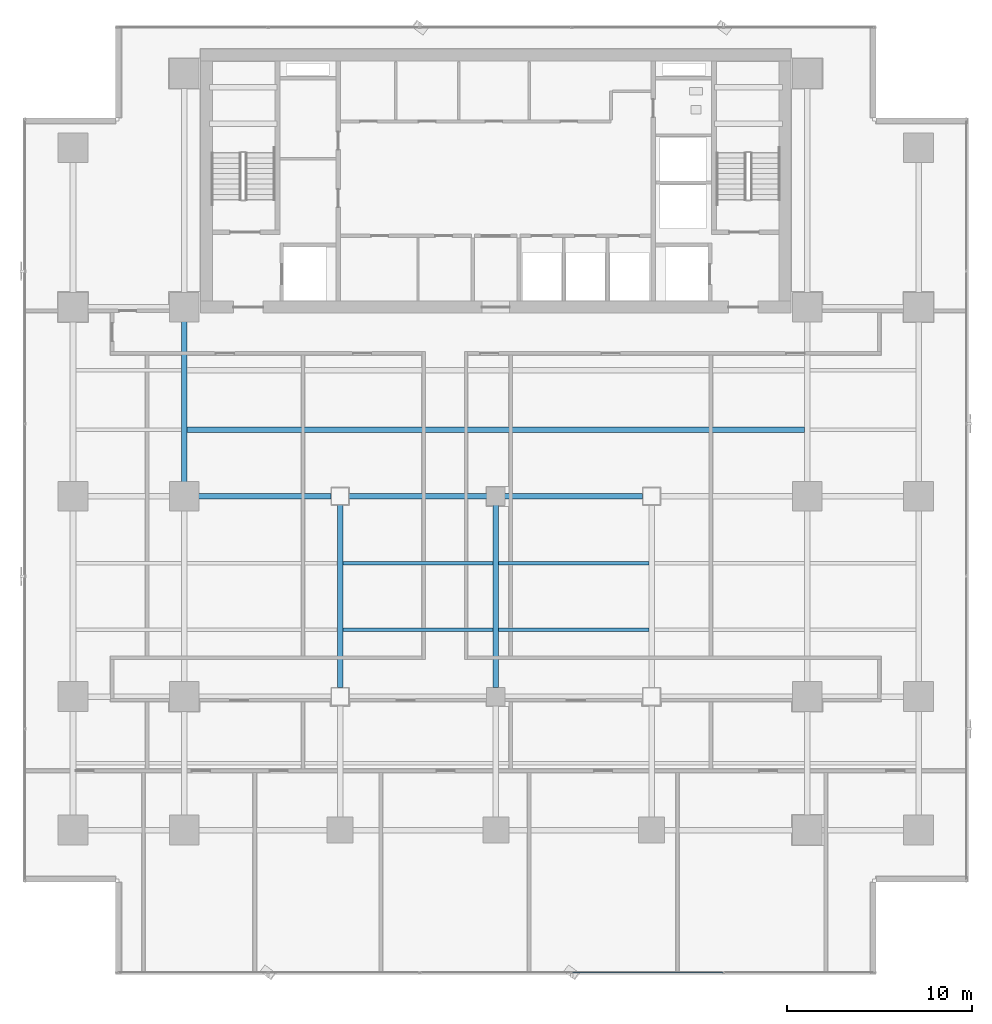
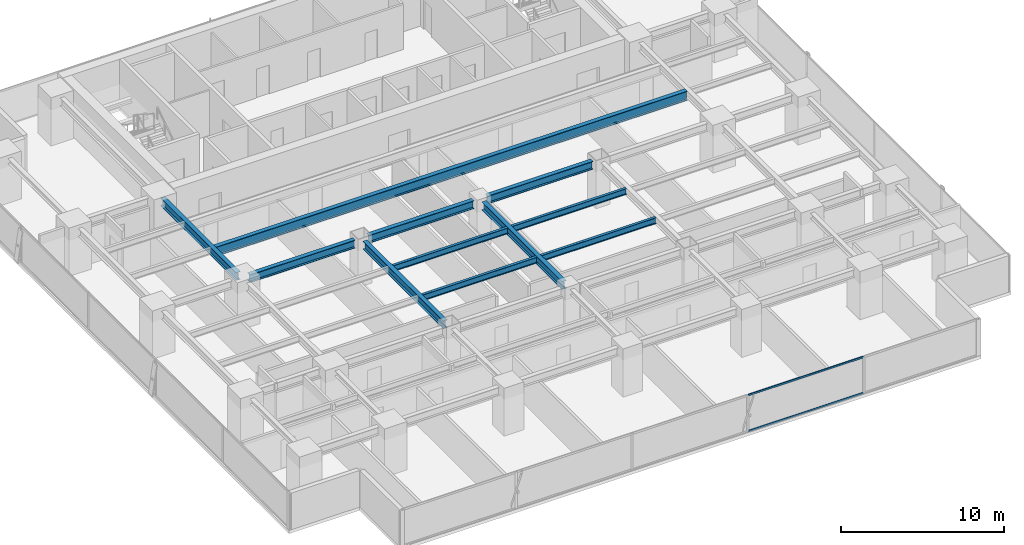
# One storey, part 11 of 36: 11 beams, 2 members, 1 element without a shape of its own.
"""IFC4 building model written with IfcOpenShell, lengths in metres."""

import ifcopenshell
import ifcopenshell.guid

model = None  # the IFC model being written
_history = None  # IfcOwnerHistory: only IFC2X3 demands one
_inside = {}  # id of a spatial element -> (the spatial element, [elements in it])
_under = {}  # id of a project, library or spatial element -> (it, [spatial elements below it])
_declared = {}  # id of a project -> (the project, [libraries it declares])
_typed = {}  # id of a type object -> (the type object, [elements of that type])
_made_of = {}  # id of a material, layer set ... -> (it, [elements and type objects made of it])


def new_model(schema):
    """Start an empty IFC model of exactly this schema.

    Asked for "IFC4X3", IfcOpenShell would pick the latest addendum, in which some entities
    have other attributes; the version numbers below select the first issue.
    IFC2X3 requires an IfcOwnerHistory on every rooted entity: one is made here for all.
    """
    global model, _history
    if schema == "IFC4X3":
        model = ifcopenshell.file(schema_version=(4, 3, 0, 0))
    else:
        model = ifcopenshell.file(schema=schema)
    _inside.clear()
    _under.clear()
    _declared.clear()
    _typed.clear()
    _made_of.clear()
    _history = None
    if model.schema == "IFC2X3":
        org = make("IfcOrganization", Name="unknown")
        user = make(
            "IfcPersonAndOrganization",
            ThePerson=make("IfcPerson", FamilyName="unknown"),
            TheOrganization=org,
        )
        app = make(
            "IfcApplication",
            ApplicationDeveloper=org,
            Version="unknown",
            ApplicationFullName="unknown",
            ApplicationIdentifier="unknown",
        )
        _history = make(
            "IfcOwnerHistory",
            OwningUser=user,
            OwningApplication=app,
            ChangeAction="ADDED",
            CreationDate=0,
        )
    return model


def make(cls, **values):
    """One entity of the class cls with the attributes given. An attribute that is None is left unset."""
    return model.create_entity(
        cls, **{name: value for name, value in values.items() if value is not None}
    )


def rooted(cls, **values):
    """An entity with a GlobalId (a new one), such as an element, a storey or a relation."""
    return make(cls, GlobalId=ifcopenshell.guid.new(), OwnerHistory=_history, **values)


def si_unit(unit_type, name, prefix=None):
    """IfcSIUnit, for example si_unit("LENGTHUNIT", "METRE", prefix="MILLI")."""
    return make("IfcSIUnit", UnitType=unit_type, Prefix=prefix, Name=name)


def assignment(units):
    """IfcUnitAssignment: the units of a project."""
    return None if units is None else make("IfcUnitAssignment", Units=units)


def point(xyz):
    """IfcCartesianPoint."""
    return None if xyz is None else make("IfcCartesianPoint", Coordinates=xyz)


def direction(xyz):
    """IfcDirection."""
    return None if xyz is None else make("IfcDirection", DirectionRatios=xyz)


def frame(location, z_axis=None, x_axis=None):
    """IfcAxis2Placement3D, a coordinate frame: its origin and axes. An axis left out is left unset."""
    return make(
        "IfcAxis2Placement3D",
        Location=point(location),
        Axis=direction(z_axis),
        RefDirection=direction(x_axis),
    )


def frame_2d(location, x_axis=None):
    """IfcAxis2Placement2D, a coordinate frame in the plane: its origin and x axis."""
    return make(
        "IfcAxis2Placement2D", Location=point(location), RefDirection=direction(x_axis)
    )


def origin():
    """The frame at (0, 0, 0) with its axes left unset."""
    return frame((0.0, 0.0, 0.0))


def origin_2d():
    """The frame at (0, 0) in the plane with its x axis left unset."""
    return frame_2d((0.0, 0.0))


def place(relative_to, where):
    """IfcLocalPlacement: puts the frame where relative to a parent placement (None: the world)."""
    return make(
        "IfcLocalPlacement", PlacementRelTo=relative_to, RelativePlacement=where
    )


def context(
    kind, dimensions, precision=None, world=None, true_north=None, identifier=None
):
    """IfcGeometricRepresentationContext, for example the 3D "Model" context."""
    return make(
        "IfcGeometricRepresentationContext",
        ContextIdentifier=identifier,
        ContextType=kind,
        CoordinateSpaceDimension=dimensions,
        Precision=precision,
        WorldCoordinateSystem=world,
        TrueNorth=true_north,
    )


def subcontext(parent, identifier, kind, view, scale=None):
    """IfcGeometricRepresentationSubContext, for example "Body" below "Model"."""
    return make(
        "IfcGeometricRepresentationSubContext",
        ContextIdentifier=identifier,
        ContextType=kind,
        ParentContext=parent,
        TargetScale=scale,
        TargetView=view,
    )


def project(units=None, contexts=None):
    """IfcProject with its units and contexts."""
    return rooted(
        "IfcProject",
        Name="project",
        RepresentationContexts=contexts,
        UnitsInContext=assignment(units),
    )


def spatial(cls, under=None, at=None, **own):
    """A site, building, storey or space (cls), placed at a placement, below another one or the project."""
    s = rooted(cls, ObjectPlacement=at, **own)
    if under is not None:
        _under.setdefault(under.id(), (under, []))[1].append(s)
    return s


def profile(cls, at=None, kind="AREA", **sizes):
    """A parametric profile (cls). Its sizes go by their IFC names, for example OverallWidth=200.0."""
    return make(cls, ProfileType=kind, Position=at, **sizes)


def hollow_rectangle(**sizes):
    """IfcRectangleHollowProfileDef."""
    return profile("IfcRectangleHollowProfileDef", **sizes)


def i_section(**sizes):
    """IfcIShapeProfileDef."""
    return profile("IfcIShapeProfileDef", **sizes)


def extrude(swept, where, along, depth):
    """IfcExtrudedAreaSolid: the profile swept, set in the frame where, extruded along a direction by depth."""
    return make(
        "IfcExtrudedAreaSolid",
        SweptArea=swept,
        Position=where,
        ExtrudedDirection=direction(along),
        Depth=depth,
    )


def shape(context_of_items, identifier, shape_type, items):
    """IfcShapeRepresentation: the items that make up one representation, for example the "Body"."""
    return make(
        "IfcShapeRepresentation",
        ContextOfItems=context_of_items,
        RepresentationIdentifier=identifier,
        RepresentationType=shape_type,
        Items=items,
    )


def source(mapping_origin, context_of_items, identifier, shape_type, items):
    """IfcRepresentationMap: a shape defined once, which mapped items show again and again."""
    return make(
        "IfcRepresentationMap",
        MappingOrigin=mapping_origin,
        MappedRepresentation=shape(context_of_items, identifier, shape_type, items),
    )


def transform(
    local_origin,
    x_axis=None,
    y_axis=None,
    z_axis=None,
    scale=None,
    scale2=None,
    scale3=None,
    uniform=True,
):
    """IfcCartesianTransformationOperator3D, or its non-uniform kind. x_axis, y_axis, z_axis: its Axis1, 2, 3."""
    if uniform:
        return make(
            "IfcCartesianTransformationOperator3D",
            Axis1=direction(x_axis),
            Axis2=direction(y_axis),
            LocalOrigin=point(local_origin),
            Scale=scale,
            Axis3=direction(z_axis),
        )
    return make(
        "IfcCartesianTransformationOperator3DnonUniform",
        Axis1=direction(x_axis),
        Axis2=direction(y_axis),
        LocalOrigin=point(local_origin),
        Scale=scale,
        Axis3=direction(z_axis),
        Scale2=scale2,
        Scale3=scale3,
    )


def mapped(mapping_source, mapping_target):
    """IfcMappedItem: shows the shape of a source again, moved by a transform."""
    return make(
        "IfcMappedItem", MappingSource=mapping_source, MappingTarget=mapping_target
    )


def material(Name=None, Category=None):
    """IfcMaterial."""
    return make("IfcMaterial", Name=Name, Category=Category)


def layer(
    of_material, thickness, ventilated=None, Name=None, Category=None, Priority=None
):
    """IfcMaterialLayer: one layer of a wall or slab, of a material (None: an air gap)."""
    return make(
        "IfcMaterialLayer",
        Material=of_material,
        LayerThickness=thickness,
        IsVentilated=ventilated,
        Name=Name,
        Category=Category,
        Priority=Priority,
    )


def layer_set(layers, Name=None):
    """IfcMaterialLayerSet."""
    return make("IfcMaterialLayerSet", MaterialLayers=layers, LayerSetName=Name)


def material_profile(
    of_material, cross_section, Name=None, Category=None, Priority=None
):
    """IfcMaterialProfile: a cross section and its material."""
    return make(
        "IfcMaterialProfile",
        Name=Name,
        Material=of_material,
        Profile=cross_section,
        Priority=Priority,
        Category=Category,
    )


def profile_set(profiles, Name=None, composite=None):
    """IfcMaterialProfileSet."""
    return make(
        "IfcMaterialProfileSet",
        Name=Name,
        MaterialProfiles=profiles,
        CompositeProfile=composite,
    )


def made_of(thing, what):
    """Note that an element or type object is made of a material, layer set ...; save() writes the relation."""
    if what is not None:
        _made_of.setdefault(what.id(), (what, []))[1].append(thing)
    return thing


def type_object(cls, material=None, **own):
    """A type object (cls), such as IfcWallType, which elements share."""
    return made_of(rooted(cls, **own), material)


def element(
    cls,
    number,
    at=None,
    inside=None,
    cuts=None,
    type_object=None,
    material=None,
    context=None,
    identifier="Body",
    shape_type=None,
    held_by="IfcProductDefinitionShape",
    body=None,
    shapes=None,
    **own,
):
    """One element of the class cls, such as IfcWall. Its Tag is "e" and its number.

    at: its placement. inside: the storey or other place that contains it. cuts: it is an
    opening in that element (IfcRelVoidsElement). A single representation is given by context,
    identifier, shape_type and body (its items); several are given by shapes. held_by: the class
    of the entity that holds the representations. save() writes the other relations.
    """
    e = rooted(cls, Tag="e%d" % number, ObjectPlacement=at, **own)
    if body is not None:
        shapes = [shape(context, identifier, shape_type, body)]
    if shapes is not None:
        e.Representation = make(held_by, Representations=shapes)
    if inside is not None:
        _inside.setdefault(inside.id(), (inside, []))[1].append(e)
    if cuts is not None:
        rooted(
            "IfcRelVoidsElement", RelatingBuildingElement=cuts, RelatedOpeningElement=e
        )
    if type_object is not None:
        _typed.setdefault(type_object.id(), (type_object, []))[1].append(e)
    return made_of(e, material)


def aggregate(whole, parts):
    """IfcRelAggregates: a whole, such as a stair, and the parts it consists of."""
    return rooted("IfcRelAggregates", RelatingObject=whole, RelatedObjects=parts)


def save(model, path):
    """Write the relations noted so far, then the file.

    IfcRelAggregates (storeys below a building ...), IfcRelContainedInSpatialStructure (elements
    in a storey), IfcRelDefinesByType, IfcRelAssociatesMaterial and IfcRelDeclares: one each for
    every whole, place, type object, material and project.
    """
    for whole, parts in _under.values():
        aggregate(whole, parts)
    for where, things in _inside.values():
        rooted(
            "IfcRelContainedInSpatialStructure",
            RelatedElements=things,
            RelatingStructure=where,
        )
    for kind, things in _typed.values():
        rooted("IfcRelDefinesByType", RelatedObjects=things, RelatingType=kind)
    for what, things in _made_of.values():
        rooted("IfcRelAssociatesMaterial", RelatedObjects=things, RelatingMaterial=what)
    for by, libraries in _declared.values():
        rooted("IfcRelDeclares", RelatingContext=by, RelatedDefinitions=libraries)
    model.write(path)


model = new_model("IFC4")

# Units and contexts
model_context = context("Model", 3, precision=1e-05, world=origin(), true_north=direction((0.0, 1.0)))
body_context = subcontext(model_context, "Body", "Model", "MODEL_VIEW")
ifc_project = project(units=[si_unit("LENGTHUNIT", "METRE"), si_unit("AREAUNIT", "SQUARE_METRE"), si_unit("VOLUMEUNIT", "CUBIC_METRE"), si_unit("PLANEANGLEUNIT", "RADIAN"), si_unit("MASSUNIT", "GRAM", prefix="KILO")], contexts=[model_context])

# Site, building, storey
site_placement = place(None, origin())
site = spatial("IfcSite", under=ifc_project, at=site_placement, CompositionType="ELEMENT")
building_placement = place(site_placement, origin())
building = spatial("IfcBuilding", under=site, at=building_placement, Name="Sumidabori Civic Tower", CompositionType="ELEMENT")
storey_placement = place(building_placement, frame((0.0, 0.0, 113.60009765625)))
storey = spatial("IfcBuildingStorey", under=building, at=storey_placement, Name="L29", CompositionType="ELEMENT", Elevation=113.60009765625)

# Beams
ifc_material_1 = material(Name="Steel SN490", Category="steel")
ifc_material_profile_1 = material_profile(ifc_material_1, i_section(OverallWidth=0.300048828125, OverallDepth=0.60009765625, WebThickness=0.015380859375, FlangeThickness=0.030029296875, at=origin_2d()), Name="HE 600 B")
ifc_profile_set_1 = profile_set([ifc_material_profile_1], Name="Steel SN490")
beam_type_1 = type_object("IfcBeamType", Name="BM-GIRD-600", PredefinedType="BEAM", material=ifc_profile_set_1)
shared_shape_1 = source(origin(), body_context, "Body", "SweptSolid", [
    extrude(i_section(OverallWidth=0.300048828125, OverallDepth=0.60009765625, WebThickness=0.015380859375, FlangeThickness=0.030029296875, at=origin_2d()), origin(), (0.0, 0.0, 1.0), 7.440185546875),
])
beam_1_placement = place(storey_placement, frame((-16.320068359375, 0.0, 3.059814453125), z_axis=(1.0, 0.0, 0.0), x_axis=(0.0, 1.0, 0.0)))
element("IfcBeam", 1, at=beam_1_placement, inside=storey, type_object=beam_type_1, Name="Primary Girder L29 GX-14", PredefinedType="BEAM", context=body_context, shape_type="MappedRepresentation", body=[
    mapped(shared_shape_1, transform((0.0, 0.0, 0.0), x_axis=(1.0, 0.0, 0.0), y_axis=(0.0, 1.0, 0.0), z_axis=(0.0, 0.0, 1.0), scale=1.0)),
])
shared_shape_2 = source(origin(), body_context, "Body", "SweptSolid", [
    extrude(i_section(OverallWidth=0.300048828125, OverallDepth=0.60009765625, WebThickness=0.015380859375, FlangeThickness=0.030029296875, at=origin_2d()), origin(), (0.0, 0.0, 1.0), 7.43994140625),
])
for number, where, z_axis, x_axis, name in (
    (2, (-7.919921875, 0.0, 3.059814453125), (1.0, 0.0, 0.0), (0.0, 1.0, 0.0), "Primary Girder L29 GX-15"),
    (3, (0.47998046875, 0.0, 3.059814453125), (1.0, 0.0, 0.0), (0.0, 1.0, 0.0), "Primary Girder L29 GX-16"),
):
    element("IfcBeam", number, at=place(storey_placement, frame(where, z_axis=z_axis, x_axis=x_axis)), inside=storey, type_object=beam_type_1, Name=name, PredefinedType="BEAM", context=body_context, shape_type="MappedRepresentation", body=[
        mapped(shared_shape_2, transform((0.0, 0.0, 0.0), x_axis=(1.0, 0.0, 0.0), y_axis=(0.0, 1.0, 0.0), z_axis=(0.0, 0.0, 1.0), scale=1.0)),
    ])
shared_shape_3 = source(origin(), body_context, "Body", "SweptSolid", [
    extrude(i_section(OverallWidth=0.300048828125, OverallDepth=0.60009765625, WebThickness=0.015380859375, FlangeThickness=0.030029296875, at=origin_2d()), origin(), (0.0, 0.0, 1.0), 9.840087890625),
])
for number, where, z_axis, x_axis, name in (
    (4, (-8.39990234375, -10.320068359375, 3.059814453125), (0.0, 1.0, 0.0), (-1.0, 0.0, 0.0), "Primary Girder L29 GY-30"),
    (5, (0.0, -10.320068359375, 3.059814453125), (0.0, 1.0, 0.0), (-1.0, 0.0, 0.0), "Primary Girder L29 GY-32"),
):
    element("IfcBeam", number, at=place(storey_placement, frame(where, z_axis=z_axis, x_axis=x_axis)), inside=storey, type_object=beam_type_1, Name=name, PredefinedType="BEAM", context=body_context, shape_type="MappedRepresentation", body=[
        mapped(shared_shape_3, transform((0.0, 0.0, 0.0), x_axis=(1.0, 0.0, 0.0), y_axis=(0.0, 1.0, 0.0), z_axis=(0.0, 0.0, 1.0), scale=1.0)),
    ])
shared_shape_4 = source(origin(), body_context, "Body", "SweptSolid", [
    extrude(i_section(OverallWidth=0.300048828125, OverallDepth=0.60009765625, WebThickness=0.015380859375, FlangeThickness=0.030029296875, at=origin_2d()), origin(), (0.0, 0.0, 1.0), 9.239990234375),
])
beam_2_placement = place(storey_placement, frame((-16.800048828125, 0.47998046875, 3.059814453125), z_axis=(0.0, 1.0, 0.0), x_axis=(-1.0, 0.0, 0.0)))
element("IfcBeam", 6, at=beam_2_placement, inside=storey, type_object=beam_type_1, Name="Primary Girder L29 GY-27", PredefinedType="BEAM", context=body_context, shape_type="MappedRepresentation", body=[
    mapped(shared_shape_4, transform((0.0, 0.0, 0.0), x_axis=(1.0, 0.0, 0.0), y_axis=(0.0, 1.0, 0.0), z_axis=(0.0, 0.0, 1.0), scale=1.0)),
])
ifc_material_profile_2 = material_profile(ifc_material_1, i_section(OverallWidth=0.300048828125, OverallDepth=0.699951171875, WebThickness=0.01708984375, FlangeThickness=0.031982421875, at=origin_2d()), Name="HE 700 B")
ifc_profile_set_2 = profile_set([ifc_material_profile_2], Name="Steel SN490")
beam_type_2 = type_object("IfcBeamType", Name="BM-GIRD-700", PredefinedType="BEAM", material=ifc_profile_set_2)
shared_shape_5 = source(origin(), body_context, "Body", "SweptSolid", [
    extrude(i_section(OverallWidth=0.300048828125, OverallDepth=0.699951171875, WebThickness=0.01708984375, FlangeThickness=0.031982421875, at=origin_2d()), origin(), (0.0, 0.0, 1.0), 33.2998046875),
])
beam_3_placement = place(storey_placement, frame((-16.64990234375, 3.60009765625, 3.010009765625), z_axis=(1.0, 0.0, 0.0), x_axis=(0.0, 1.0, 0.0)))
element("IfcBeam", 7, at=beam_3_placement, inside=storey, type_object=beam_type_2, Name="North Bay Floor Beam L29 JSTN-53", PredefinedType="BEAM", context=body_context, shape_type="MappedRepresentation", body=[
    mapped(shared_shape_5, transform((0.0, 0.0, 0.0), x_axis=(1.0, 0.0, 0.0), y_axis=(0.0, 1.0, 0.0), z_axis=(0.0, 0.0, 1.0), scale=1.0)),
])
ifc_material_profile_3 = material_profile(ifc_material_1, i_section(OverallWidth=0.18994140625, OverallDepth=0.449951171875, WebThickness=0.009521484375, FlangeThickness=0.0146484375, at=origin_2d()), Name="IPE 450")
ifc_profile_set_3 = profile_set([ifc_material_profile_3], Name="Steel SN490")
beam_type_3 = type_object("IfcBeamType", Name="BM-JST-450", PredefinedType="JOIST", material=ifc_profile_set_3)
shared_shape_6 = source(origin(), body_context, "Body", "SweptSolid", [
    extrude(i_section(OverallWidth=0.18994140625, OverallDepth=0.449951171875, WebThickness=0.009521484375, FlangeThickness=0.0146484375, at=origin_2d()), origin(), (0.0, 0.0, 1.0), 8.10009765625),
])
for number, where, z_axis, x_axis, name in (
    (8, (-8.25, -7.199951171875, 3.135009765625), (1.0, 0.0, 0.0), (0.0, 1.0, 0.0), "South Bay Floor Joist L29 JSTS-60"),
    (9, (0.14990234375, -7.199951171875, 3.135009765625), (1.0, 0.0, 0.0), (0.0, 1.0, 0.0), "South Bay Floor Joist L29 JSTS-61"),
    (10, (-8.25, -3.60009765625, 3.135009765625), (1.0, 0.0, 0.0), (0.0, 1.0, 0.0), "South Bay Floor Joist L29 JSTS-64"),
    (11, (0.14990234375, -3.60009765625, 3.135009765625), (1.0, 0.0, 0.0), (0.0, 1.0, 0.0), "South Bay Floor Joist L29 JSTS-65"),
):
    element("IfcBeam", number, at=place(storey_placement, frame(where, z_axis=z_axis, x_axis=x_axis)), inside=storey, type_object=beam_type_3, Name=name, PredefinedType="JOIST", context=body_context, shape_type="MappedRepresentation", body=[
        mapped(shared_shape_6, transform((0.0, 0.0, 0.0), x_axis=(1.0, 0.0, 0.0), y_axis=(0.0, 1.0, 0.0), z_axis=(0.0, 0.0, 1.0), scale=1.0)),
    ])

# Curtain wall, members
ifc_material_2 = material(Name="Anodised Bronze Aluminium AW-6063-T6", Category="aluminium")
ifc_layer = layer(ifc_material_2, 0.179931640625, Name="Anodised Bronze Aluminium AW-6063-T6")
ifc_layer_set = layer_set([ifc_layer], Name="Anodised Bronze Aluminium AW-6063-T6")
curtain_wall_type = type_object("IfcCurtainWallType", Name="CW-SYS-3", PredefinedType="NOTDEFINED", material=ifc_layer_set)
curtain_wall_placement = place(storey_placement, origin())
curtain_wall = element("IfcCurtainWall", 12, at=curtain_wall_placement, inside=storey, type_object=curtain_wall_type, Name="Curtain Wall CW:L29:R01", PredefinedType="NOTDEFINED")
ifc_material_profile_4 = material_profile(ifc_material_2, hollow_rectangle(XDim=0.06005859375, YDim=0.1298828125, WallThickness=0.0048828125, at=origin_2d()), Name="ALU TRANSOM 130x60")
ifc_profile_set_4 = profile_set([ifc_material_profile_4], Name="Anodised Bronze Aluminium AW-6063-T6")
member_type = type_object("IfcMemberType", Name="CW-TRN-130", PredefinedType="USERDEFINED", material=ifc_profile_set_4)
shared_shape_7 = source(origin(), body_context, "Body", "SweptSolid", [
    extrude(hollow_rectangle(XDim=0.06005859375, YDim=0.1298828125, WallThickness=0.0048828125, at=origin_2d()), origin(), (0.0, 0.0, 1.0), 8.123046875),
])
member_1_placement = place(storey_placement, frame((4.12646484375, -25.679931640625, 0.02978515625), z_axis=(1.0, 0.0, 0.0), x_axis=(0.0, 1.0, 0.0)))
member_1 = element("IfcMember", 13, at=member_1_placement, type_object=member_type, Name="CW-3 transom 4.1", ObjectType="TRANSOM", PredefinedType="USERDEFINED", context=body_context, shape_type="MappedRepresentation", body=[
    mapped(shared_shape_7, transform((0.0, 0.0, 0.0), x_axis=(1.0, 0.0, 0.0), y_axis=(0.0, 1.0, 0.0), z_axis=(0.0, 0.0, 1.0), scale=1.0)),
])
member_2_placement = place(storey_placement, frame((4.12646484375, -25.679931640625, 2.7099609375), z_axis=(1.0, 0.0, 0.0), x_axis=(0.0, 1.0, 0.0)))
member_2 = element("IfcMember", 14, at=member_2_placement, type_object=member_type, Name="CW-3 transom 4.2", ObjectType="TRANSOM", PredefinedType="USERDEFINED", context=body_context, shape_type="MappedRepresentation", body=[
    mapped(shared_shape_7, transform((0.0, 0.0, 0.0), x_axis=(1.0, 0.0, 0.0), y_axis=(0.0, 1.0, 0.0), z_axis=(0.0, 0.0, 1.0), scale=1.0)),
])
aggregate(curtain_wall, [member_1, member_2])

save(model, "model.ifc")
